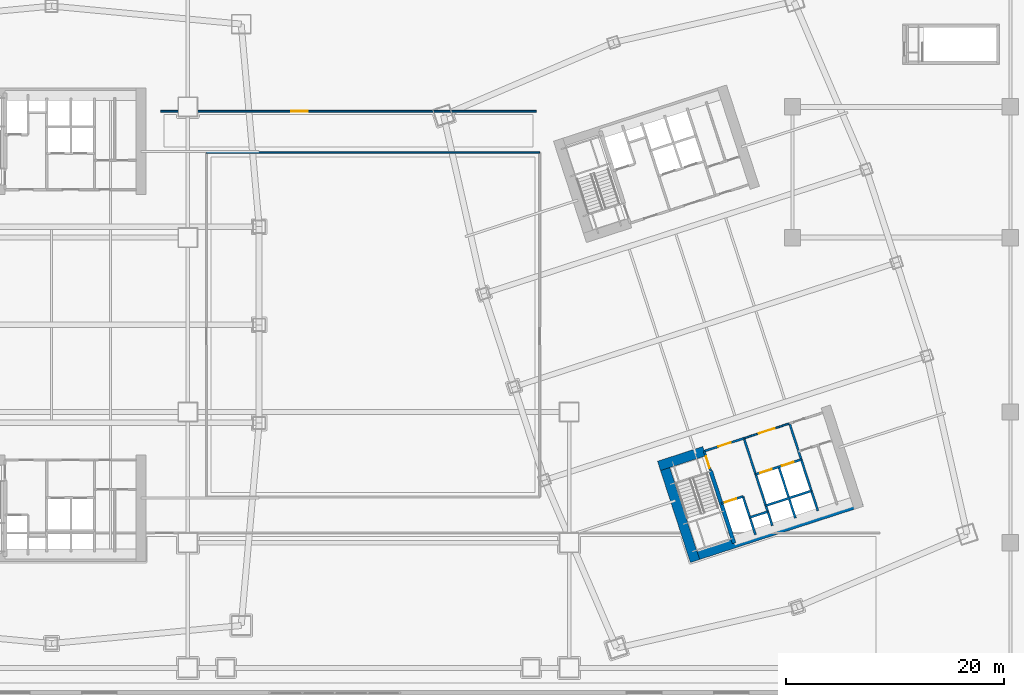
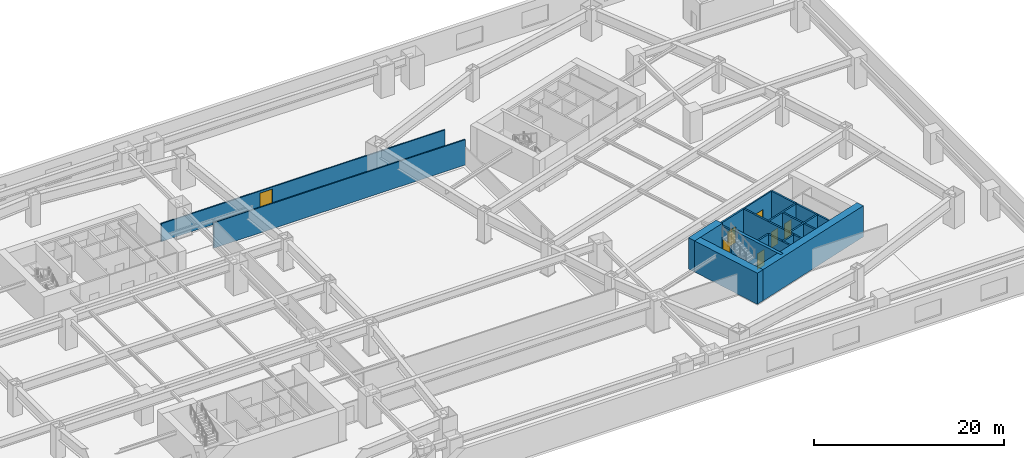
# One storey, part 17 of 25: 17 walls, 7 doors, 7 openings.
"""IFC4 building model written with IfcOpenShell, lengths in metres."""

from ifc_helpers import new_model, si_unit, direction, frame, frame_2d, origin, place, context, subcontext, project, spatial, rectangle, extrude, material, layer, layer_set, type_object, element, fill, save


model = new_model("IFC4")

# Units and contexts
model_context = context("Model", 3, precision=1e-05, world=origin(), true_north=direction((0.0, 1.0)))
body_context = subcontext(model_context, "Body", "Model", "MODEL_VIEW")
ifc_project = project(units=[si_unit("LENGTHUNIT", "METRE"), si_unit("AREAUNIT", "SQUARE_METRE"), si_unit("VOLUMEUNIT", "CUBIC_METRE"), si_unit("PLANEANGLEUNIT", "RADIAN"), si_unit("MASSUNIT", "GRAM", prefix="KILO")], contexts=[model_context])

# Site, building, storey
site_placement = place(None, origin())
site = spatial("IfcSite", under=ifc_project, at=site_placement, CompositionType="ELEMENT")
building_placement = place(site_placement, origin())
building = spatial("IfcBuilding", under=site, at=building_placement, Name="Qiaolan Cultural Towers", CompositionType="ELEMENT")
storey_placement = place(building_placement, frame((0.0, 0.0, 22.0)))
storey = spatial("IfcBuildingStorey", under=building, at=storey_placement, Name="L04", CompositionType="ELEMENT", Elevation=22.0)

# Walls
ifc_material_1 = material(Name="Concrete C50", Category="concrete")
ifc_layer_1 = layer(ifc_material_1, 0.35009765625)
ifc_layer_set_1 = layer_set([ifc_layer_1], Name="Concrete C50")
wall_type_1 = type_object("IfcWallType", Name="WL-CORE-350", PredefinedType="SHEAR", material=ifc_layer_set_1)
wall_1_placement = place(storey_placement, frame((90.486328125, 20.59423828125, 0.0), z_axis=(0.0, 0.0, 1.0), x_axis=(0.309020428229, -0.951055400562, 0.0)))
element("IfcWall", 1, at=wall_1_placement, inside=storey, type_object=wall_type_1, Name="L04 T2-CS Stair Core Dividing Web", PredefinedType="SHEAR", context=body_context, shape_type="SweptSolid", body=[
    extrude(rectangle(XDim=6.97998046875, YDim=0.35009765625, at=frame_2d((3.489990234375, 0.0))), origin(), (0.0, 0.0, 1.0), 4.0),
])
ifc_material_2 = material(Name="Concrete C60", Category="concrete")
ifc_layer_2 = layer(ifc_material_2, 0.89990234375)
ifc_layer_set_2 = layer_set([ifc_layer_2], Name="Concrete C60")
wall_type_2 = type_object("IfcWallType", Name="WL-CORE-900", PredefinedType="SHEAR", material=ifc_layer_set_2)
wall_2_placement = place(storey_placement, frame((88.4873046875, 12.60546875, 0.0), z_axis=(0.0, 0.0, 1.0), x_axis=(0.951055016115, 0.309021611416, 0.0)))
element("IfcWall", 2, at=wall_2_placement, inside=storey, type_object=wall_type_2, Name="L04 T2-CS Outer Core Shear Wall", PredefinedType="SHEAR", context=body_context, shape_type="SweptSolid", body=[
    extrude(rectangle(XDim=16.699951171875, YDim=0.89990234375, at=frame_2d((8.35009765625, 0.0))), origin(), (0.0, 0.0, 1.0), 4.0),
])
wall_3_placement = place(storey_placement, frame((86.031982421875, 21.617919921875, 0.0), z_axis=(0.0, 0.0, 1.0), x_axis=(0.30901438634, -0.951057363693, 0.0)))
element("IfcWall", 3, at=wall_3_placement, inside=storey, type_object=wall_type_2, Name="L04 T2-CS West Core Shear Wall", PredefinedType="SHEAR", context=body_context, shape_type="SweptSolid", body=[
    extrude(rectangle(XDim=9.7802734375, YDim=0.89990234375, at=frame_2d((4.89013671875, 0.0))), origin(), (0.0, 0.0, 1.0), 4.0),
])
wall_4_placement = place(storey_placement, frame((85.7431640625, 21.05078125, 0.0), z_axis=(0.0, 0.0, 1.0), x_axis=(0.951063623806, 0.308995118848, 0.0)))
element("IfcWall", 4, at=wall_4_placement, inside=storey, type_object=wall_type_2, Name="L04 T2-CS Stair Front Shear Wall", PredefinedType="SHEAR", context=body_context, shape_type="SweptSolid", body=[
    extrude(rectangle(XDim=4.3701171875, YDim=0.89990234375, at=frame_2d((2.18505859375, 0.0))), origin(), (0.0, 0.0, 1.0), 4.0),
])

# Wall, opening, door
ifc_material_3 = material(Name="Concrete C35 Fire Wall", Category="concrete")
ifc_layer_3 = layer(ifc_material_3, 0.199951171875)
ifc_layer_set_3 = layer_set([ifc_layer_3], Name="Concrete C35 Fire Wall")
wall_type_3 = type_object("IfcWallType", Name="WL-FIRE-200", PredefinedType="PARTITIONING", material=ifc_layer_set_3)
wall_5_placement = place(storey_placement, frame((89.8994140625, 22.401123046875, 0.0), z_axis=(0.0, 0.0, 1.0), x_axis=(0.308932062672, -0.951084108086, 0.0)))
wall_5 = element("IfcWall", 5, at=wall_5_placement, inside=storey, type_object=wall_type_3, Name="L04 T2-CS Smokeproof Stair Entry Wall", PredefinedType="PARTITIONING", context=body_context, shape_type="SweptSolid", body=[
    extrude(rectangle(XDim=1.89990234375, YDim=0.199951171875, at=frame_2d((0.949951171875, 0.0))), origin(), (0.0, 0.0, 1.0), 3.72509765625),
])
opening_1_placement = place(wall_5_placement, frame((0.52001953125, 0.0, 0.0)))
opening_1 = element("IfcOpeningElement", 6, at=opening_1_placement, cuts=wall_5, Name="Opening FD-04", PredefinedType="OPENING", context=body_context, shape_type="SweptSolid", body=[
    extrude(rectangle(XDim=1.10009765625, YDim=2.050048828125, at=frame_2d((0.550048828125, 1.02490234375))), frame((0.0, 0.10986328125, 0.0), z_axis=(0.0, -1.0, 0.0), x_axis=(1.0, 0.0, 0.0)), (0.0, 0.0, 1.0), 0.219970703125),
])
ifc_material_4 = material(Name="Galvanized Steel Command Fire Door", Category="steel")
door_type_1 = type_object("IfcDoorType", Name="DR-FD90-1100", OperationType="NOTDEFINED", PredefinedType="DOOR", material=ifc_material_4)
door_1_placement = place(opening_1_placement, origin())
door_1 = element("IfcDoor", 7, at=door_1_placement, inside=storey, type_object=door_type_1, Name="L04 ST-E1 Smokeproof Stair Fire Door", OperationType="SINGLE_SWING_LEFT", OverallHeight=2.050048828125, OverallWidth=1.10009765625, PredefinedType="DOOR", context=body_context, shape_type="SweptSolid", body=[
    extrude(rectangle(XDim=1.10009765625, YDim=2.050048828125, at=frame_2d((0.550048828125, 1.02490234375))), frame((0.0, 0.02490234375, 0.0), z_axis=(0.0, -1.0, 0.0), x_axis=(1.0, 0.0, 0.0)), (0.0, 0.0, 1.0), 0.050048828125),
])
fill(opening_1, door_1)

# Wall
wall_6_placement = place(storey_placement, frame((93.541748046875, 23.584716796875, 0.0), z_axis=(0.0, 0.0, 1.0), x_axis=(0.309042196757, -0.951048327176, 0.0)))
element("IfcWall", 8, at=wall_6_placement, inside=storey, type_object=wall_type_3, Name="L04 T2-CS Firefighting Zone Wall", PredefinedType="PARTITIONING", context=body_context, shape_type="SweptSolid", body=[
    extrude(rectangle(XDim=8.429931640625, YDim=0.199951171875, at=frame_2d((4.21484375, 0.0))), origin(), (0.0, 0.0, 1.0), 3.72509765625),
])

# Wall, opening, door
wall_7_placement = place(storey_placement, frame((89.8994140625, 22.401123046875, 0.0), z_axis=(0.0, 0.0, 1.0), x_axis=(0.951046716504, 0.309047153403, 0.0)))
wall_7 = element("IfcWall", 9, at=wall_7_placement, inside=storey, type_object=wall_type_3, Name="L04 T2-CS Firefighting Lobby Front Wall", PredefinedType="PARTITIONING", context=body_context, shape_type="SweptSolid", body=[
    extrude(rectangle(XDim=3.829833984375, YDim=0.199951171875, at=frame_2d((1.9150390625, 0.0))), origin(), (0.0, 0.0, 1.0), 3.72509765625),
])
opening_2_placement = place(wall_7_placement, frame((1.35009765625, 0.0, 0.0)))
opening_2 = element("IfcOpeningElement", 10, at=opening_2_placement, cuts=wall_7, Name="Opening FD-03", PredefinedType="OPENING", context=body_context, shape_type="SweptSolid", body=[
    extrude(rectangle(XDim=1.199951171875, YDim=2.050048828125, at=frame_2d((0.60009765625, 1.02490234375))), frame((0.0, 0.10986328125, 0.0), z_axis=(0.0, -1.0, 0.0), x_axis=(1.0, 0.0, 0.0)), (0.0, 0.0, 1.0), 0.219970703125),
])
ifc_material_5 = material(Name="Galvanized Steel Smokeproof Lobby Fire Door", Category="steel")
door_type_2 = type_object("IfcDoorType", Name="DR-FD90-1200", OperationType="NOTDEFINED", PredefinedType="DOOR", material=ifc_material_5)
door_2_placement = place(opening_2_placement, origin())
door_2 = element("IfcDoor", 11, at=door_2_placement, inside=storey, type_object=door_type_2, Name="L04 FFL-E1 Firefighting Lobby Fire Door", OperationType="SINGLE_SWING_LEFT", OverallHeight=2.050048828125, OverallWidth=1.199951171875, PredefinedType="DOOR", context=body_context, shape_type="SweptSolid", body=[
    extrude(rectangle(XDim=1.199951171875, YDim=2.050048828125, at=frame_2d((0.60009765625, 1.02490234375))), frame((0.0, 0.02490234375, 0.0), z_axis=(0.0, -1.0, 0.0), x_axis=(1.0, 0.0, 0.0)), (0.0, 0.0, 1.0), 0.050048828125),
])
fill(opening_2, door_2)

wall_8_placement = place(storey_placement, frame((91.459716796875, 17.598388671875, 0.0), z_axis=(0.0, 0.0, 1.0), x_axis=(0.951062257173, 0.308999325213, 0.0)))
wall_8 = element("IfcWall", 12, at=wall_8_placement, inside=storey, type_object=wall_type_3, Name="L04 T2-CS Firefighting Shaft Front Wall", PredefinedType="PARTITIONING", context=body_context, shape_type="SweptSolid", body=[
    extrude(rectangle(XDim=2.10009765625, YDim=0.199951171875, at=frame_2d((1.050048828125, 0.0))), origin(), (0.0, 0.0, 1.0), 3.72509765625),
])
opening_3_placement = place(wall_8_placement, frame((0.35009765625, 0.0, 0.0)))
opening_3 = element("IfcOpeningElement", 13, at=opening_3_placement, cuts=wall_8, Name="Opening LD-01", PredefinedType="OPENING", context=body_context, shape_type="SweptSolid", body=[
    extrude(rectangle(XDim=1.10009765625, YDim=2.050048828125, at=frame_2d((0.550048828125, 1.02490234375))), frame((0.0, 0.10986328125, 0.0), z_axis=(0.0, -1.0, 0.0), x_axis=(1.0, 0.0, 0.0)), (0.0, 0.0, 1.0), 0.219970703125),
])
ifc_material_6 = material(Name="Brushed Stainless Steel S30408 Centre-Parting Lift Landing Door", Category="steel")
door_type_3 = type_object("IfcDoorType", Name="DR-LIFT-1100", OperationType="NOTDEFINED", PredefinedType="DOOR", material=ifc_material_6)
door_3_placement = place(opening_3_placement, origin())
door_3 = element("IfcDoor", 14, at=door_3_placement, inside=storey, type_object=door_type_3, Name="L04 FFL-E1 Firefighting Lift Landing Door", OperationType="DOUBLE_DOOR_SLIDING", OverallHeight=2.050048828125, OverallWidth=1.10009765625, PredefinedType="DOOR", context=body_context, shape_type="SweptSolid", body=[
    extrude(rectangle(XDim=1.10009765625, YDim=2.050048828125, at=frame_2d((0.550048828125, 1.02490234375))), frame((0.0, 0.02490234375, 0.0), z_axis=(0.0, -1.0, 0.0), x_axis=(1.0, 0.0, 0.0)), (0.0, 0.0, 1.0), 0.050048828125),
])
fill(opening_3, door_3)

# Walls
wall_9_placement = place(storey_placement, frame((93.45703125, 18.247314453125, 0.0), z_axis=(0.0, 0.0, 1.0), x_axis=(0.3089935693, -0.951064127245, 0.0)))
element("IfcWall", 15, at=wall_9_placement, inside=storey, type_object=wall_type_3, Name="L04 T2-CS Firefighting Hoistway East Wall", PredefinedType="PARTITIONING", context=body_context, shape_type="SweptSolid", body=[
    extrude(rectangle(XDim=3.7001953125, YDim=0.199951171875, at=frame_2d((1.85009765625, 0.0))), origin(), (0.0, 0.0, 1.0), 3.72509765625),
])
wall_10_placement = place(storey_placement, frame((94.08447265625, 16.316650390625, 0.0), z_axis=(0.0, 0.0, 1.0), x_axis=(0.951041328149, 0.309063734775, 0.0)))
element("IfcWall", 16, at=wall_10_placement, inside=storey, type_object=wall_type_3, Name="L04 T2-CS Pressurization Shaft Front Wall", PredefinedType="PARTITIONING", context=body_context, shape_type="SweptSolid", body=[
    extrude(rectangle(XDim=1.72998046875, YDim=0.199951171875, at=frame_2d((0.864990234375, 0.0))), origin(), (0.0, 0.0, 1.0), 3.72509765625),
])
wall_11_placement = place(storey_placement, frame((97.7265625, 24.9443359375, 0.0), z_axis=(0.0, 0.0, 1.0), x_axis=(0.309016001439, -0.951056838919, 0.0)))
element("IfcWall", 17, at=wall_11_placement, inside=storey, type_object=wall_type_3, Name="L04 T2-CS Lift Core East Wall", PredefinedType="PARTITIONING", context=body_context, shape_type="SweptSolid", body=[
    extrude(rectangle(XDim=8.429931640625, YDim=0.199951171875, at=frame_2d((4.21484375, 0.0))), origin(), (0.0, 0.0, 1.0), 3.72509765625),
])

# Wall, openings, doors
wall_12_placement = place(storey_placement, frame((94.6171875, 20.275146484375, 0.0), z_axis=(0.0, 0.0, 1.0), x_axis=(0.951058531764, 0.30901079133, 0.0)))
wall_12 = element("IfcWall", 18, at=wall_12_placement, inside=storey, type_object=wall_type_3, Name="L04 T2-CS Passenger Lift Shaft Front Wall", PredefinedType="PARTITIONING", context=body_context, shape_type="SweptSolid", body=[
    extrude(rectangle(XDim=4.39990234375, YDim=0.199951171875, at=frame_2d((2.199951171875, 0.0))), origin(), (0.0, 0.0, 1.0), 3.72509765625),
])
opening_4_placement = place(wall_12_placement, frame((0.449951171875, 0.0, 0.0)))
opening_4 = element("IfcOpeningElement", 19, at=opening_4_placement, cuts=wall_12, Name="Opening LD-01", PredefinedType="OPENING", context=body_context, shape_type="SweptSolid", body=[
    extrude(rectangle(XDim=1.10009765625, YDim=2.050048828125, at=frame_2d((0.550048828125, 1.02490234375))), frame((0.0, 0.10986328125, 0.0), z_axis=(0.0, -1.0, 0.0), x_axis=(1.0, 0.0, 0.0)), (0.0, 0.0, 1.0), 0.219970703125),
])
opening_5_placement = place(wall_12_placement, frame((2.550048828125, 0.0, 0.0)))
opening_5 = element("IfcOpeningElement", 20, at=opening_5_placement, cuts=wall_12, Name="Opening LD-01", PredefinedType="OPENING", context=body_context, shape_type="SweptSolid", body=[
    extrude(rectangle(XDim=1.10009765625, YDim=2.050048828125, at=frame_2d((0.550048828125, 1.02490234375))), frame((0.0, 0.10986328125, 0.0), z_axis=(0.0, -1.0, 0.0), x_axis=(1.0, 0.0, 0.0)), (0.0, 0.0, 1.0), 0.219970703125),
])
door_4_placement = place(opening_4_placement, origin())
door_4 = element("IfcDoor", 21, at=door_4_placement, inside=storey, type_object=door_type_3, Name="L04 Passenger Lift 1 Landing Door", OperationType="DOUBLE_DOOR_SLIDING", OverallHeight=2.050048828125, OverallWidth=1.10009765625, PredefinedType="DOOR", context=body_context, shape_type="SweptSolid", body=[
    extrude(rectangle(XDim=1.10009765625, YDim=2.050048828125, at=frame_2d((0.550048828125, 1.02490234375))), frame((0.0, 0.02490234375, 0.0), z_axis=(0.0, -1.0, 0.0), x_axis=(1.0, 0.0, 0.0)), (0.0, 0.0, 1.0), 0.050048828125),
])
fill(opening_4, door_4)
door_5_placement = place(opening_5_placement, origin())
door_5 = element("IfcDoor", 22, at=door_5_placement, inside=storey, type_object=door_type_3, Name="L04 Passenger Lift 2 Landing Door", OperationType="DOUBLE_DOOR_SLIDING", OverallHeight=2.050048828125, OverallWidth=1.10009765625, PredefinedType="DOOR", context=body_context, shape_type="SweptSolid", body=[
    extrude(rectangle(XDim=1.10009765625, YDim=2.050048828125, at=frame_2d((0.550048828125, 1.02490234375))), frame((0.0, 0.02490234375, 0.0), z_axis=(0.0, -1.0, 0.0), x_axis=(1.0, 0.0, 0.0)), (0.0, 0.0, 1.0), 0.050048828125),
])
fill(opening_5, door_5)

# Walls
wall_13_placement = place(storey_placement, frame((96.738037109375, 20.964111328125, 0.0), z_axis=(0.0, 0.0, 1.0), x_axis=(0.309042578481, -0.951048203135, 0.0)))
element("IfcWall", 23, at=wall_13_placement, inside=storey, type_object=wall_type_3, Name="L04 T2-CS Lift Shaft Divider Wall", PredefinedType="PARTITIONING", context=body_context, shape_type="SweptSolid", body=[
    extrude(rectangle(XDim=4.9501953125, YDim=0.199951171875, at=frame_2d((2.47509765625, 0.0))), origin(), (0.0, 0.0, 1.0), 3.72509765625),
])
wall_14_placement = place(storey_placement, frame((95.550537109375, 17.40283203125, 0.0), z_axis=(0.0, 0.0, 1.0), x_axis=(0.951058531764, 0.30901079133, 0.0)))
element("IfcWall", 24, at=wall_14_placement, inside=storey, type_object=wall_type_3, Name="L04 T2-CS Passenger Lift Shaft Back Wall", PredefinedType="PARTITIONING", context=body_context, shape_type="SweptSolid", body=[
    extrude(rectangle(XDim=4.39990234375, YDim=0.199951171875, at=frame_2d((2.199951171875, 0.0))), origin(), (0.0, 0.0, 1.0), 3.72509765625),
])

# Wall, opening, door
ifc_material_7 = material(Name="Autoclaved Aerated Concrete Block B06", Category="concrete")
ifc_layer_4 = layer(ifc_material_7, 0.14990234375)
ifc_layer_set_4 = layer_set([ifc_layer_4], Name="Autoclaved Aerated Concrete Block B06")
wall_type_4 = type_object("IfcWallType", Name="WL-PART-150", PredefinedType="PARTITIONING", material=ifc_layer_set_4)
wall_15_placement = place(storey_placement, frame((93.541748046875, 23.584716796875, 0.0), z_axis=(0.0, 0.0, 1.0), x_axis=(0.951063829732, 0.308994485023, 0.0)))
wall_15 = element("IfcWall", 25, at=wall_15_placement, inside=storey, type_object=wall_type_4, Name="L04 T2-CS Passenger Lift Lobby Front Wall", PredefinedType="PARTITIONING", context=body_context, shape_type="SweptSolid", body=[
    extrude(rectangle(XDim=4.400146484375, YDim=0.14990234375, at=frame_2d((2.2001953125, 0.0))), origin(), (0.0, 0.0, 1.0), 3.72509765625),
])
opening_6_placement = place(wall_15_placement, frame((1.449951171875, 0.0, 0.0)))
opening_6 = element("IfcOpeningElement", 26, at=opening_6_placement, cuts=wall_15, Name="Opening FD-05", PredefinedType="OPENING", context=body_context, shape_type="SweptSolid", body=[
    extrude(rectangle(XDim=1.5, YDim=2.050048828125, at=frame_2d((0.75, 1.02490234375))), frame((0.0, 0.0849609375, 0.0), z_axis=(0.0, -1.0, 0.0), x_axis=(1.0, 0.0, 0.0)), (0.0, 0.0, 1.0), 0.169921875),
])
ifc_material_8 = material(Name="Painted Steel Lift Lobby Fire Door", Category="steel")
door_type_4 = type_object("IfcDoorType", Name="DR-FD60-1500", OperationType="NOTDEFINED", PredefinedType="DOOR", material=ifc_material_8)
door_6_placement = place(opening_6_placement, origin())
door_6 = element("IfcDoor", 27, at=door_6_placement, inside=storey, type_object=door_type_4, Name="L04 Passenger Lift Lobby Entrance", OperationType="SINGLE_SWING_LEFT", OverallHeight=2.050048828125, OverallWidth=1.5, PredefinedType="DOOR", context=body_context, shape_type="SweptSolid", body=[
    extrude(rectangle(XDim=1.5, YDim=2.050048828125, at=frame_2d((0.75, 1.02490234375))), frame((0.0, 0.02490234375, 0.0), z_axis=(0.0, -1.0, 0.0), x_axis=(1.0, 0.0, 0.0)), (0.0, 0.0, 1.0), 0.050048828125),
])
fill(opening_6, door_6)

# Wall
wall_16_placement = place(storey_placement, frame((44.199951171875, 49.800048828125, 0.0), z_axis=(0.0, 0.0, 1.0), x_axis=(1.0, 0.0, 0.0)))
element("IfcWall", 28, at=wall_16_placement, inside=storey, type_object=wall_type_4, Name="L04 Podium Partition L04-DN", PredefinedType="PARTITIONING", context=body_context, shape_type="SweptSolid", body=[
    extrude(rectangle(XDim=30.60009765625, YDim=0.14990234375, at=frame_2d((15.300048828125, 0.0))), origin(), (0.0, 0.0, 1.0), 3.264892578125),
])

# Wall, opening, door
wall_17_placement = place(storey_placement, frame((40.0, 53.60009765625, 0.0), z_axis=(0.0, 0.0, 1.0), x_axis=(1.0, 0.0, 0.0)))
wall_17 = element("IfcWall", 29, at=wall_17_placement, inside=storey, type_object=wall_type_4, Name="L04 Podium Partition L04-NGW", PredefinedType="PARTITIONING", context=body_context, shape_type="SweptSolid", body=[
    extrude(rectangle(XDim=34.5, YDim=0.14990234375, at=frame_2d((17.25, 0.0))), origin(), (0.0, 0.0, 1.0), 2.31494140625),
])
opening_7_placement = place(wall_17_placement, frame((12.0, 0.0, 0.0)))
opening_7 = element("IfcOpeningElement", 30, at=opening_7_placement, cuts=wall_17, Name="Opening ID-01", PredefinedType="OPENING", context=body_context, shape_type="SweptSolid", body=[
    extrude(rectangle(XDim=1.5, YDim=2.050048828125, at=frame_2d((0.75, 1.02490234375))), frame((0.0, 0.0849609375, 0.0), z_axis=(0.0, -1.0, 0.0), x_axis=(1.0, 0.0, 0.0)), (0.0, 0.0, 1.0), 0.169921875),
])
ifc_material_9 = material(Name="Oak Veneer Solid-Core Double Leaf Door", Category="timber")
door_type_5 = type_object("IfcDoorType", Name="DR-INT-1500", OperationType="NOTDEFINED", PredefinedType="DOOR", material=ifc_material_9)
door_7_placement = place(opening_7_placement, origin())
door_7 = element("IfcDoor", 31, at=door_7_placement, inside=storey, type_object=door_type_5, Name="L04 North Gallery Entrance", OperationType="SINGLE_SWING_RIGHT", OverallHeight=2.050048828125, OverallWidth=1.5, PredefinedType="DOOR", context=body_context, shape_type="SweptSolid", body=[
    extrude(rectangle(XDim=1.5, YDim=2.050048828125, at=frame_2d((0.75, 1.02490234375))), frame((0.0, 0.02490234375, 0.0), z_axis=(0.0, -1.0, 0.0), x_axis=(1.0, 0.0, 0.0)), (0.0, 0.0, 1.0), 0.050048828125),
])
fill(opening_7, door_7)

save(model, "model.ifc")
